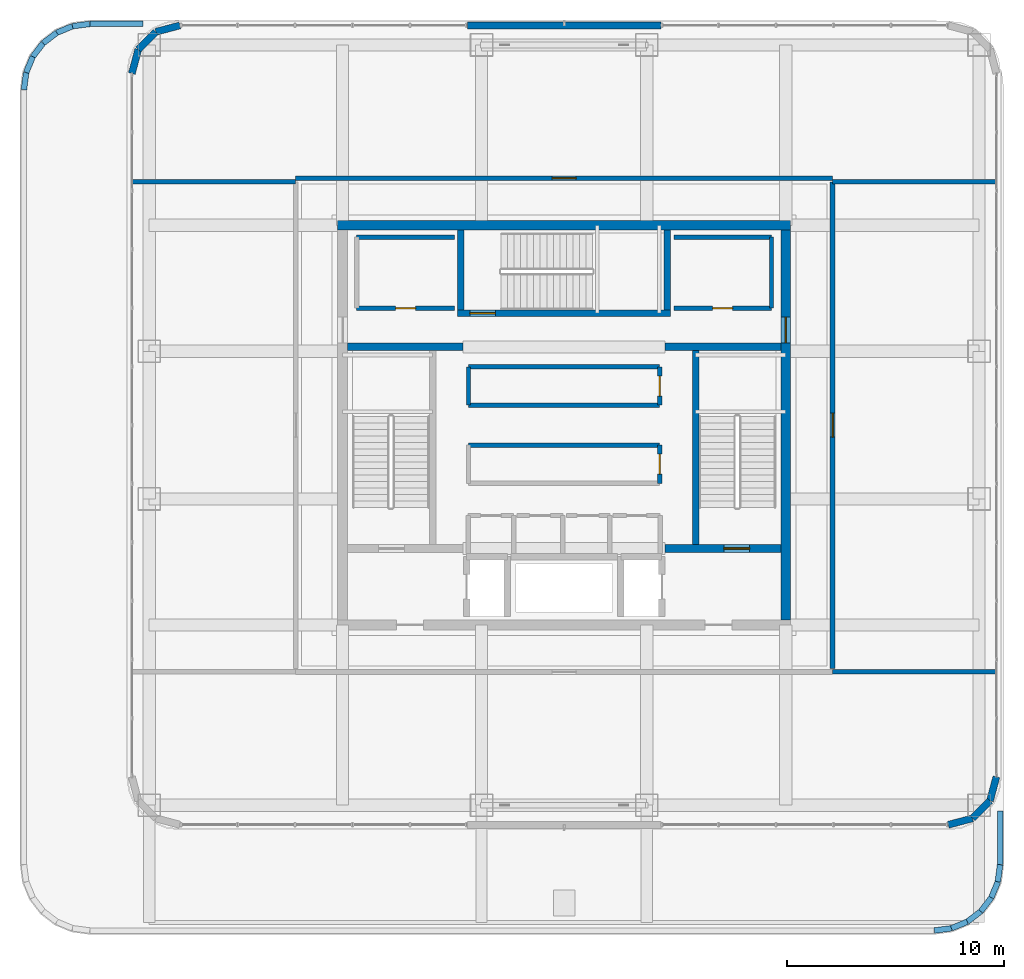
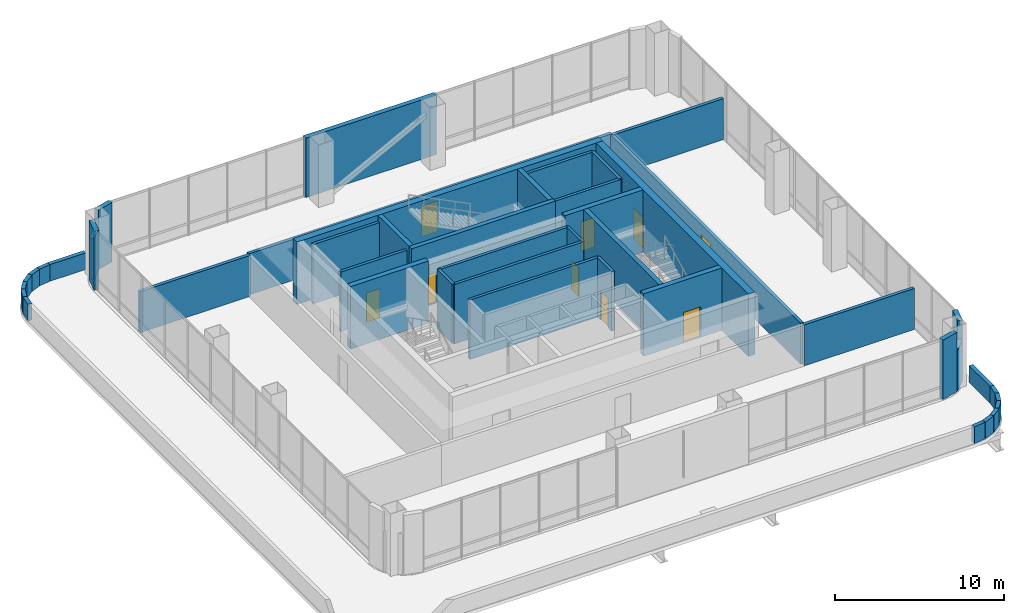
# One storey, part 29 of 33: 46 walls, 9 doors, 9 openings.
"""IFC4 building model written with IfcOpenShell, lengths in metres."""

from ifc_helpers import new_model, si_unit, direction, frame, frame_2d, origin, place, context, subcontext, project, spatial, rectangle, extrude, material, layer, layer_set, type_object, element, fill, save


model = new_model("IFC4")

# Units and contexts
model_context = context("Model", 3, precision=1e-05, world=origin(), true_north=direction((0.0, 1.0)))
body_context = subcontext(model_context, "Body", "Model", "MODEL_VIEW")
ifc_project = project(units=[si_unit("LENGTHUNIT", "METRE"), si_unit("AREAUNIT", "SQUARE_METRE"), si_unit("VOLUMEUNIT", "CUBIC_METRE"), si_unit("PLANEANGLEUNIT", "RADIAN"), si_unit("MASSUNIT", "GRAM", prefix="KILO")], contexts=[model_context])

# Site, building, storey
site_placement = place(None, origin())
site = spatial("IfcSite", under=ifc_project, at=site_placement, CompositionType="ELEMENT")
building_placement = place(site_placement, origin())
building = spatial("IfcBuilding", under=site, at=building_placement, Name="Punatoya Terracotta Tower", CompositionType="ELEMENT")
storey_placement = place(building_placement, frame((0.0, 0.0, 343.800048828125)))
storey = spatial("IfcBuildingStorey", under=building, at=storey_placement, Name="L81", CompositionType="ELEMENT", Elevation=343.800048828125)

# Wall
ifc_material_1 = material(Name="Concrete C50/60", Category="concrete")
ifc_layer_1 = layer(ifc_material_1, 0.449951171875)
ifc_layer_set_1 = layer_set([ifc_layer_1], Name="Concrete C50/60")
wall_type_1 = type_object("IfcWallType", Name="WL-COR-450", PredefinedType="SHEAR", material=ifc_layer_set_1)
wall_1_placement = place(storey_placement, frame((-10.425048828125, 9.199951171875, 0.0), z_axis=(0.0, 0.0, 1.0), x_axis=(1.0, 0.0, 0.0)))
element("IfcWall", 1, at=wall_1_placement, inside=storey, type_object=wall_type_1, Name="L81 Core Shear Wall N", PredefinedType="SHEAR", context=body_context, shape_type="SweptSolid", body=[
    extrude(rectangle(XDim=20.85009765625, YDim=0.449951171875, at=frame_2d((10.425048828125, 0.0))), origin(), (0.0, 0.0, 1.0), 4.5),
])

# Wall, opening, door
wall_2_placement = place(storey_placement, frame((10.199951171875, 8.97509765625, 0.0), z_axis=(0.0, 0.0, 1.0), x_axis=(0.0, -1.0, 0.0)))
wall_2 = element("IfcWall", 2, at=wall_2_placement, inside=storey, type_object=wall_type_1, Name="L81 Core Shear Wall E", PredefinedType="SHEAR", context=body_context, shape_type="SweptSolid", body=[
    extrude(rectangle(XDim=17.9501953125, YDim=0.449951171875, at=frame_2d((8.97509765625, 0.0))), origin(), (0.0, 0.0, 1.0), 4.5),
])
opening_1_placement = place(wall_2_placement, frame((4.0048828125, 0.0, 0.0)))
opening_1 = element("IfcOpeningElement", 3, at=opening_1_placement, cuts=wall_2, Name="Opening SD-01", PredefinedType="OPENING", context=body_context, shape_type="SweptSolid", body=[
    extrude(rectangle(XDim=1.179931640625, YDim=2.199951171875, at=frame_2d((0.58984375, 1.10009765625))), frame((0.0, 0.23486328125, 0.0), z_axis=(0.0, -1.0, 0.0), x_axis=(1.0, 0.0, 0.0)), (0.0, 0.0, 1.0), 0.469970703125),
])
ifc_material_2 = material(Name="Galvanised Steel Pressurized Stair Fire Door", Category="steel")
door_type_1 = type_object("IfcDoorType", Name="DR-STR-1180", OperationType="NOTDEFINED", PredefinedType="DOOR", material=ifc_material_2)
door_1_placement = place(opening_1_placement, origin())
door_1 = element("IfcDoor", 4, at=door_1_placement, inside=storey, type_object=door_type_1, Name="L81 Central Lift Lobby East Fire Door", OperationType="SINGLE_SWING_RIGHT", OverallHeight=2.199951171875, OverallWidth=1.179931640625, PredefinedType="DOOR", context=body_context, shape_type="SweptSolid", body=[
    extrude(rectangle(XDim=1.179931640625, YDim=2.199951171875, at=frame_2d((0.58984375, 1.10009765625))), frame((0.0, 0.02490234375, 0.0), z_axis=(0.0, -1.0, 0.0), x_axis=(1.0, 0.0, 0.0)), (0.0, 0.0, 1.0), 0.050048828125),
])
fill(opening_1, door_1)

# Walls
ifc_material_3 = material(Name="Precast concrete C40/50", Category="concrete")
ifc_layer_2 = layer(ifc_material_3, 0.320068359375)
ifc_layer_set_2 = layer_set([ifc_layer_2], Name="Precast concrete C40/50")
wall_type_2 = type_object("IfcWallType", Name="WL-EXT-320", PredefinedType="SOLIDWALL", material=ifc_layer_set_2)
wall_3_placement = place(storey_placement, frame((17.68701171875, -18.39990234375, 0.0), z_axis=(0.0, 0.0, 1.0), x_axis=(0.966322910406, 0.257332533551, 0.0)))
element("IfcWall", 5, at=wall_3_placement, inside=storey, type_object=wall_type_2, Name="L81 Rounded Terracotta Corner Pier 02", PredefinedType="SOLIDWALL", context=body_context, shape_type="SweptSolid", body=[
    extrude(rectangle(XDim=1.15087890625, YDim=0.320068359375, at=frame_2d((0.575439453125, 0.0))), origin(), (0.0, 0.0, 1.0), 4.280029296875),
])
wall_4_placement = place(storey_placement, frame((18.799072265625, -18.103759765625, 0.0), z_axis=(0.0, 0.0, 1.0), x_axis=(0.707106781187, 0.707106781187, 0.0)))
element("IfcWall", 6, at=wall_4_placement, inside=storey, type_object=wall_type_2, Name="L81 Rounded Terracotta Corner Pier 03", PredefinedType="SOLIDWALL", context=body_context, shape_type="SweptSolid", body=[
    extrude(rectangle(XDim=1.137939453125, YDim=0.320068359375, at=frame_2d((0.56884765625, 0.0))), origin(), (0.0, 0.0, 1.0), 2.953857421875),
])
wall_5_placement = place(storey_placement, frame((19.603759765625, -17.299072265625, 0.0), z_axis=(0.0, 0.0, 1.0), x_axis=(0.257332533551, 0.966322910406, 0.0)))
element("IfcWall", 7, at=wall_5_placement, inside=storey, type_object=wall_type_2, Name="L81 Rounded Terracotta Corner Pier 04", PredefinedType="SOLIDWALL", context=body_context, shape_type="SweptSolid", body=[
    extrude(rectangle(XDim=1.15087890625, YDim=0.320068359375, at=frame_2d((0.575439453125, 0.0))), origin(), (0.0, 0.0, 1.0), 4.280029296875),
])
wall_6_placement = place(storey_placement, frame((4.449951171875, 18.39990234375, 0.0), z_axis=(0.0, 0.0, 1.0), x_axis=(-1.0, 0.0, 0.0)))
element("IfcWall", 8, at=wall_6_placement, inside=storey, type_object=wall_type_2, Name="L81 Terracotta Braced Facade Wall N1", PredefinedType="SOLIDWALL", context=body_context, shape_type="SweptSolid", body=[
    extrude(rectangle(XDim=8.89990234375, YDim=0.320068359375, at=frame_2d((4.449951171875, 0.0))), origin(), (0.0, 0.0, 1.0), 4.280029296875),
])
wall_7_placement = place(storey_placement, frame((-17.68701171875, 18.39990234375, 0.0), z_axis=(0.0, 0.0, 1.0), x_axis=(-0.966322910406, -0.257332533551, 0.0)))
element("IfcWall", 9, at=wall_7_placement, inside=storey, type_object=wall_type_2, Name="L81 Rounded Terracotta Corner Pier 10", PredefinedType="SOLIDWALL", context=body_context, shape_type="SweptSolid", body=[
    extrude(rectangle(XDim=1.15087890625, YDim=0.320068359375, at=frame_2d((0.575439453125, 0.0))), origin(), (0.0, 0.0, 1.0), 4.280029296875),
])
wall_8_placement = place(storey_placement, frame((-18.799072265625, 18.103759765625, 0.0), z_axis=(0.0, 0.0, 1.0), x_axis=(-0.707106781187, -0.707106781187, 0.0)))
element("IfcWall", 10, at=wall_8_placement, inside=storey, type_object=wall_type_2, Name="L81 Rounded Terracotta Corner Pier 11", PredefinedType="SOLIDWALL", context=body_context, shape_type="SweptSolid", body=[
    extrude(rectangle(XDim=1.137939453125, YDim=0.320068359375, at=frame_2d((0.56884765625, 0.0))), origin(), (0.0, 0.0, 1.0), 2.953857421875),
])
wall_9_placement = place(storey_placement, frame((-19.603759765625, 17.299072265625, 0.0), z_axis=(0.0, 0.0, 1.0), x_axis=(-0.257332533551, -0.966322910406, 0.0)))
element("IfcWall", 11, at=wall_9_placement, inside=storey, type_object=wall_type_2, Name="L81 Rounded Terracotta Corner Pier 12", PredefinedType="SOLIDWALL", context=body_context, shape_type="SweptSolid", body=[
    extrude(rectangle(XDim=1.15087890625, YDim=0.320068359375, at=frame_2d((0.575439453125, 0.0))), origin(), (0.0, 0.0, 1.0), 4.280029296875),
])
ifc_material_4 = material(Name="Concrete C40/50", Category="concrete")
ifc_layer_3 = layer(ifc_material_4, 0.219970703125)
ifc_layer_set_3 = layer_set([ifc_layer_3], Name="Concrete C40/50")
wall_type_3 = type_object("IfcWallType", Name="WL-FIR-220", PredefinedType="SOLIDWALL", material=ifc_layer_set_3)
for number, where, z_axis, x_axis, name in (
    (12, (12.360107421875, -11.35009765625, 0.0), (0.0, 0.0, 1.0), (1.0, 0.0, 0.0), "L81 Crown South Heat-Rejection and Cooling-Tower Plant Partition 26"),
    (13, (-19.8798828125, 11.199951171875, 0.0), (0.0, 0.0, 1.0), (1.0, 0.0, 0.0), "L81 Crown West Smoke-Extract and Fan Plant Room Partition 27"),
):
    element("IfcWall", number, at=place(storey_placement, frame(where, z_axis=z_axis, x_axis=x_axis)), inside=storey, type_object=wall_type_3, Name=name, PredefinedType="SOLIDWALL", context=body_context, shape_type="SweptSolid", body=[
        extrude(rectangle(XDim=7.519775390625, YDim=0.219970703125, at=frame_2d((3.759765625, 0.0))), origin(), (0.0, 0.0, 1.0), 2.953857421875),
    ])

# Wall, opening, door
wall_10_placement = place(storey_placement, frame((12.360107421875, -11.199951171875, 0.0), z_axis=(0.0, 0.0, 1.0), x_axis=(0.0, 1.0, 0.0)))
wall_10 = element("IfcWall", 14, at=wall_10_placement, inside=storey, type_object=wall_type_3, Name="L81 Crown East Lift Machine and BMS Control Plant Partition 29", PredefinedType="SOLIDWALL", context=body_context, shape_type="SweptSolid", body=[
    extrude(rectangle(XDim=22.39990234375, YDim=0.219970703125, at=frame_2d((11.199951171875, 0.0))), origin(), (0.0, 0.0, 1.0), 2.953857421875),
])
opening_2_placement = place(wall_10_placement, frame((10.64990234375, 0.0, 0.0)))
opening_2 = element("IfcOpeningElement", 15, at=opening_2_placement, cuts=wall_10, Name="Opening FD-P1", PredefinedType="OPENING", context=body_context, shape_type="SweptSolid", body=[
    extrude(rectangle(XDim=1.10009765625, YDim=2.199951171875, at=frame_2d((0.550048828125, 1.10009765625))), frame((0.0, 0.119873046875, 0.0), z_axis=(0.0, -1.0, 0.0), x_axis=(1.0, 0.0, 0.0)), (0.0, 0.0, 1.0), 0.239990234375),
])
ifc_material_5 = material(Name="Galvanised Steel Plant Fire Door", Category="steel")
door_type_2 = type_object("IfcDoorType", Name="DR-PLT-1100", OperationType="NOTDEFINED", PredefinedType="DOOR", material=ifc_material_5)
door_2_placement = place(opening_2_placement, origin())
door_2 = element("IfcDoor", 16, at=door_2_placement, inside=storey, type_object=door_type_2, Name="L81 Crown East Lift Machine and BMS Control Plant Fire Door", OperationType="SINGLE_SWING_LEFT", OverallHeight=2.199951171875, OverallWidth=1.10009765625, PredefinedType="DOOR", context=body_context, shape_type="SweptSolid", body=[
    extrude(rectangle(XDim=1.10009765625, YDim=2.199951171875, at=frame_2d((0.550048828125, 1.10009765625))), frame((0.0, 0.02490234375, 0.0), z_axis=(0.0, -1.0, 0.0), x_axis=(1.0, 0.0, 0.0)), (0.0, 0.0, 1.0), 0.050048828125),
])
fill(opening_2, door_2)

# Wall
wall_11_placement = place(storey_placement, frame((12.360107421875, 11.199951171875, 0.0), z_axis=(0.0, 0.0, 1.0), x_axis=(1.0, 0.0, 0.0)))
element("IfcWall", 17, at=wall_11_placement, inside=storey, type_object=wall_type_3, Name="L81 Crown East Lift Machine and BMS Control Plant Partition 30", PredefinedType="SOLIDWALL", context=body_context, shape_type="SweptSolid", body=[
    extrude(rectangle(XDim=7.519775390625, YDim=0.219970703125, at=frame_2d((3.759765625, 0.0))), origin(), (0.0, 0.0, 1.0), 2.953857421875),
])

# Wall, opening, door
wall_12_placement = place(storey_placement, frame((12.360107421875, 11.360107421875, 0.0), z_axis=(0.0, 0.0, 1.0), x_axis=(-1.0, 0.0, 0.0)))
wall_12 = element("IfcWall", 18, at=wall_12_placement, inside=storey, type_object=wall_type_3, Name="L81 Crown North Standby Power and Booster Pump Plant Partition 31", PredefinedType="SOLIDWALL", context=body_context, shape_type="SweptSolid", body=[
    extrude(rectangle(XDim=24.72021484375, YDim=0.219970703125, at=frame_2d((12.360107421875, 0.0))), origin(), (0.0, 0.0, 1.0), 2.953857421875),
])
opening_3_placement = place(wall_12_placement, frame((11.81005859375, 0.0, 0.0)))
opening_3 = element("IfcOpeningElement", 19, at=opening_3_placement, cuts=wall_12, Name="Opening FD-P1", PredefinedType="OPENING", context=body_context, shape_type="SweptSolid", body=[
    extrude(rectangle(XDim=1.10009765625, YDim=2.199951171875, at=frame_2d((0.550048828125, 1.10009765625))), frame((0.0, 0.119873046875, 0.0), z_axis=(0.0, -1.0, 0.0), x_axis=(1.0, 0.0, 0.0)), (0.0, 0.0, 1.0), 0.239990234375),
])
door_3_placement = place(opening_3_placement, origin())
door_3 = element("IfcDoor", 20, at=door_3_placement, inside=storey, type_object=door_type_2, Name="L81 Crown North Standby Power and Booster Pump Plant Fire Door", OperationType="SINGLE_SWING_RIGHT", OverallHeight=2.199951171875, OverallWidth=1.10009765625, PredefinedType="DOOR", context=body_context, shape_type="SweptSolid", body=[
    extrude(rectangle(XDim=1.10009765625, YDim=2.199951171875, at=frame_2d((0.550048828125, 1.10009765625))), frame((0.0, 0.02490234375, 0.0), z_axis=(0.0, -1.0, 0.0), x_axis=(1.0, 0.0, 0.0)), (0.0, 0.0, 1.0), 0.050048828125),
])
fill(opening_3, door_3)

ifc_layer_4 = layer(ifc_material_4, 0.199951171875)
ifc_layer_set_4 = layer_set([ifc_layer_4], Name="Concrete C40/50")
wall_type_4 = type_object("IfcWallType", Name="WL-INT-200", PredefinedType="SOLIDWALL", material=ifc_layer_set_4)
wall_13_placement = place(storey_placement, frame((4.39990234375, -2.679931640625, 0.0), z_axis=(0.0, 0.0, 1.0), x_axis=(0.0, 1.0, 0.0)))
wall_13 = element("IfcWall", 21, at=wall_13_placement, inside=storey, type_object=wall_type_4, Name="L81 Crown Emergency Power Switchroom Partition 10", PredefinedType="SOLIDWALL", context=body_context, shape_type="SweptSolid", body=[
    extrude(rectangle(XDim=1.760009765625, YDim=0.199951171875, at=frame_2d((0.8798828125, 0.0))), origin(), (0.0, 0.0, 1.0), 4.280029296875),
])
opening_4_placement = place(wall_13_placement, frame((0.419921875, 0.0, 0.0)))
opening_4 = element("IfcOpeningElement", 22, at=opening_4_placement, cuts=wall_13, Name="Opening FD-R1", PredefinedType="OPENING", context=body_context, shape_type="SweptSolid", body=[
    extrude(rectangle(XDim=0.919921875, YDim=2.10009765625, at=frame_2d((0.4599609375, 1.050048828125))), frame((0.0, 0.10986328125, 0.0), z_axis=(0.0, -1.0, 0.0), x_axis=(1.0, 0.0, 0.0)), (0.0, 0.0, 1.0), 0.219970703125),
])
ifc_material_6 = material(Name="Galvanised Steel Riser Fire Access Door", Category="steel")
door_type_3 = type_object("IfcDoorType", Name="DR-RSR-920", OperationType="NOTDEFINED", PredefinedType="DOOR", material=ifc_material_6)
door_4_placement = place(opening_4_placement, origin())
door_4 = element("IfcDoor", 23, at=door_4_placement, inside=storey, type_object=door_type_3, Name="L81 Crown Emergency Power Switchroom Fire Door", OperationType="SINGLE_SWING_LEFT", OverallHeight=2.10009765625, OverallWidth=0.919921875, PredefinedType="DOOR", context=body_context, shape_type="SweptSolid", body=[
    extrude(rectangle(XDim=0.919921875, YDim=2.10009765625, at=frame_2d((0.4599609375, 1.050048828125))), frame((0.0, 0.02490234375, 0.0), z_axis=(0.0, -1.0, 0.0), x_axis=(1.0, 0.0, 0.0)), (0.0, 0.0, 1.0), 0.050048828125),
])
fill(opening_4, door_4)

# Wall
wall_14_placement = place(storey_placement, frame((4.39990234375, -0.919921875, 0.0), z_axis=(0.0, 0.0, 1.0), x_axis=(-1.0, 0.0, 0.0)))
element("IfcWall", 24, at=wall_14_placement, inside=storey, type_object=wall_type_4, Name="L81 Crown Emergency Power Switchroom Partition 11", PredefinedType="SOLIDWALL", context=body_context, shape_type="SweptSolid", body=[
    extrude(rectangle(XDim=8.7998046875, YDim=0.199951171875, at=frame_2d((4.39990234375, 0.0))), origin(), (0.0, 0.0, 1.0), 4.280029296875),
])

# Wall, opening, door
wall_15_placement = place(storey_placement, frame((4.39990234375, 0.919921875, 0.0), z_axis=(0.0, 0.0, 1.0), x_axis=(0.0, 1.0, 0.0)))
wall_15 = element("IfcWall", 25, at=wall_15_placement, inside=storey, type_object=wall_type_4, Name="L81 Crown Stair Pressurization Fan Room Partition 14", PredefinedType="SOLIDWALL", context=body_context, shape_type="SweptSolid", body=[
    extrude(rectangle(XDim=1.760009765625, YDim=0.199951171875, at=frame_2d((0.8798828125, 0.0))), origin(), (0.0, 0.0, 1.0), 4.280029296875),
])
opening_5_placement = place(wall_15_placement, frame((0.419921875, 0.0, 0.0)))
opening_5 = element("IfcOpeningElement", 26, at=opening_5_placement, cuts=wall_15, Name="Opening FD-R1", PredefinedType="OPENING", context=body_context, shape_type="SweptSolid", body=[
    extrude(rectangle(XDim=0.919921875, YDim=2.10009765625, at=frame_2d((0.4599609375, 1.050048828125))), frame((0.0, 0.10986328125, 0.0), z_axis=(0.0, -1.0, 0.0), x_axis=(1.0, 0.0, 0.0)), (0.0, 0.0, 1.0), 0.219970703125),
])
door_5_placement = place(opening_5_placement, origin())
door_5 = element("IfcDoor", 27, at=door_5_placement, inside=storey, type_object=door_type_3, Name="L81 Crown Stair Pressurization Fan Room Fire Door", OperationType="SINGLE_SWING_RIGHT", OverallHeight=2.10009765625, OverallWidth=0.919921875, PredefinedType="DOOR", context=body_context, shape_type="SweptSolid", body=[
    extrude(rectangle(XDim=0.919921875, YDim=2.10009765625, at=frame_2d((0.4599609375, 1.050048828125))), frame((0.0, 0.02490234375, 0.0), z_axis=(0.0, -1.0, 0.0), x_axis=(1.0, 0.0, 0.0)), (0.0, 0.0, 1.0), 0.050048828125),
])
fill(opening_5, door_5)

# Walls
wall_16_placement = place(storey_placement, frame((4.39990234375, 2.679931640625, 0.0), z_axis=(0.0, 0.0, 1.0), x_axis=(-1.0, 0.0, 0.0)))
element("IfcWall", 28, at=wall_16_placement, inside=storey, type_object=wall_type_4, Name="L81 Crown Stair Pressurization Fan Room Partition 15", PredefinedType="SOLIDWALL", context=body_context, shape_type="SweptSolid", body=[
    extrude(rectangle(XDim=8.7998046875, YDim=0.199951171875, at=frame_2d((4.39990234375, 0.0))), origin(), (0.0, 0.0, 1.0), 4.280029296875),
])
wall_17_placement = place(storey_placement, frame((-4.39990234375, 2.679931640625, 0.0), z_axis=(0.0, 0.0, 1.0), x_axis=(0.0, -1.0, 0.0)))
element("IfcWall", 29, at=wall_17_placement, inside=storey, type_object=wall_type_4, Name="L81 Crown Stair Pressurization Fan Room Partition 16", PredefinedType="SOLIDWALL", context=body_context, shape_type="SweptSolid", body=[
    extrude(rectangle(XDim=1.760009765625, YDim=0.199951171875, at=frame_2d((0.8798828125, 0.0))), origin(), (0.0, 0.0, 1.0), 4.280029296875),
])
wall_18_placement = place(storey_placement, frame((-4.39990234375, 0.919921875, 0.0), z_axis=(0.0, 0.0, 1.0), x_axis=(1.0, 0.0, 0.0)))
element("IfcWall", 30, at=wall_18_placement, inside=storey, type_object=wall_type_4, Name="L81 Crown Stair Pressurization Fan Room Partition 17", PredefinedType="SOLIDWALL", context=body_context, shape_type="SweptSolid", body=[
    extrude(rectangle(XDim=8.7998046875, YDim=0.199951171875, at=frame_2d((4.39990234375, 0.0))), origin(), (0.0, 0.0, 1.0), 4.280029296875),
])
wall_19_placement = place(storey_placement, frame((-5.050048828125, 8.64990234375, 0.0), z_axis=(0.0, 0.0, 1.0), x_axis=(-1.0, 0.0, 0.0)))
element("IfcWall", 31, at=wall_19_placement, inside=storey, type_object=wall_type_4, Name="L81 West Duct Riser Partition 18", PredefinedType="SOLIDWALL", context=body_context, shape_type="SweptSolid", body=[
    extrude(rectangle(XDim=4.5, YDim=0.199951171875, at=frame_2d((2.25, 0.0))), origin(), (0.0, 0.0, 1.0), 4.280029296875),
])

# Wall, opening, door
wall_20_placement = place(storey_placement, frame((-9.550048828125, 5.3798828125, 0.0), z_axis=(0.0, 0.0, 1.0), x_axis=(1.0, 0.0, 0.0)))
wall_20 = element("IfcWall", 32, at=wall_20_placement, inside=storey, type_object=wall_type_4, Name="L81 West Duct Riser Partition 20", PredefinedType="SOLIDWALL", context=body_context, shape_type="SweptSolid", body=[
    extrude(rectangle(XDim=4.5, YDim=0.199951171875, at=frame_2d((2.25, 0.0))), origin(), (0.0, 0.0, 1.0), 4.280029296875),
])
opening_6_placement = place(wall_20_placement, frame((1.7900390625, 0.0, 0.0)))
opening_6 = element("IfcOpeningElement", 33, at=opening_6_placement, cuts=wall_20, Name="Opening FD-R1", PredefinedType="OPENING", context=body_context, shape_type="SweptSolid", body=[
    extrude(rectangle(XDim=0.919921875, YDim=2.10009765625, at=frame_2d((0.4599609375, 1.050048828125))), frame((0.0, 0.10986328125, 0.0), z_axis=(0.0, -1.0, 0.0), x_axis=(1.0, 0.0, 0.0)), (0.0, 0.0, 1.0), 0.219970703125),
])
door_6_placement = place(opening_6_placement, origin())
door_6 = element("IfcDoor", 34, at=door_6_placement, inside=storey, type_object=door_type_3, Name="L81 West Duct Riser Fire Door", OperationType="SINGLE_SWING_LEFT", OverallHeight=2.10009765625, OverallWidth=0.919921875, PredefinedType="DOOR", context=body_context, shape_type="SweptSolid", body=[
    extrude(rectangle(XDim=0.919921875, YDim=2.10009765625, at=frame_2d((0.4599609375, 1.050048828125))), frame((0.0, 0.02490234375, 0.0), z_axis=(0.0, -1.0, 0.0), x_axis=(1.0, 0.0, 0.0)), (0.0, 0.0, 1.0), 0.050048828125),
])
fill(opening_6, door_6)

# Walls
wall_21_placement = place(storey_placement, frame((9.550048828125, 5.3798828125, 0.0), z_axis=(0.0, 0.0, 1.0), x_axis=(0.0, 1.0, 0.0)))
element("IfcWall", 35, at=wall_21_placement, inside=storey, type_object=wall_type_4, Name="L81 East Duct Riser Partition 21", PredefinedType="SOLIDWALL", context=body_context, shape_type="SweptSolid", body=[
    extrude(rectangle(XDim=3.27001953125, YDim=0.199951171875, at=frame_2d((1.635009765625, 0.0))), origin(), (0.0, 0.0, 1.0), 4.280029296875),
])
wall_22_placement = place(storey_placement, frame((9.550048828125, 8.64990234375, 0.0), z_axis=(0.0, 0.0, 1.0), x_axis=(-1.0, 0.0, 0.0)))
element("IfcWall", 36, at=wall_22_placement, inside=storey, type_object=wall_type_4, Name="L81 East Duct Riser Partition 22", PredefinedType="SOLIDWALL", context=body_context, shape_type="SweptSolid", body=[
    extrude(rectangle(XDim=4.5, YDim=0.199951171875, at=frame_2d((2.25, 0.0))), origin(), (0.0, 0.0, 1.0), 4.280029296875),
])

# Wall, opening, door
wall_23_placement = place(storey_placement, frame((5.050048828125, 5.3798828125, 0.0), z_axis=(0.0, 0.0, 1.0), x_axis=(1.0, 0.0, 0.0)))
wall_23 = element("IfcWall", 37, at=wall_23_placement, inside=storey, type_object=wall_type_4, Name="L81 East Duct Riser Partition 23", PredefinedType="SOLIDWALL", context=body_context, shape_type="SweptSolid", body=[
    extrude(rectangle(XDim=4.5, YDim=0.199951171875, at=frame_2d((2.25, 0.0))), origin(), (0.0, 0.0, 1.0), 4.280029296875),
])
opening_7_placement = place(wall_23_placement, frame((1.7900390625, 0.0, 0.0)))
opening_7 = element("IfcOpeningElement", 38, at=opening_7_placement, cuts=wall_23, Name="Opening FD-R1", PredefinedType="OPENING", context=body_context, shape_type="SweptSolid", body=[
    extrude(rectangle(XDim=0.919921875, YDim=2.10009765625, at=frame_2d((0.4599609375, 1.050048828125))), frame((0.0, 0.10986328125, 0.0), z_axis=(0.0, -1.0, 0.0), x_axis=(1.0, 0.0, 0.0)), (0.0, 0.0, 1.0), 0.219970703125),
])
door_7_placement = place(opening_7_placement, origin())
door_7 = element("IfcDoor", 39, at=door_7_placement, inside=storey, type_object=door_type_3, Name="L81 East Duct Riser Fire Door", OperationType="SINGLE_SWING_RIGHT", OverallHeight=2.10009765625, OverallWidth=0.919921875, PredefinedType="DOOR", context=body_context, shape_type="SweptSolid", body=[
    extrude(rectangle(XDim=0.919921875, YDim=2.10009765625, at=frame_2d((0.4599609375, 1.050048828125))), frame((0.0, 0.02490234375, 0.0), z_axis=(0.0, -1.0, 0.0), x_axis=(1.0, 0.0, 0.0)), (0.0, 0.0, 1.0), 0.050048828125),
])
fill(opening_7, door_7)

# Walls
ifc_layer_5 = layer(ifc_material_3, 0.260009765625)
ifc_layer_set_5 = layer_set([ifc_layer_5], Name="Precast concrete C40/50")
wall_type_5 = type_object("IfcWallType", Name="WL-PAR-260", PredefinedType="PARAPET", material=ifc_layer_set_5)
wall_24_placement = place(storey_placement, frame((17.0380859375, -23.27001953125, 0.0), z_axis=(0.0, 0.0, 1.0), x_axis=(0.991434550152, 0.130604489832, 0.0)))
element("IfcWall", 40, at=wall_24_placement, inside=storey, type_object=wall_type_5, Name="L81 Roof Parapet Wall PAR-L81-STEP-01", PredefinedType="PARAPET", context=body_context, shape_type="SweptSolid", body=[
    extrude(rectangle(XDim=0.800048828125, YDim=0.260009765625, at=frame_2d((0.39990234375, 0.0))), origin(), (0.0, 0.0, 1.0), 1.199951171875),
])
wall_25_placement = place(storey_placement, frame((17.831298828125, -23.16552734375, 0.0), z_axis=(0.0, 0.0, 1.0), x_axis=(0.923854398102, 0.38274410656, 0.0)))
element("IfcWall", 41, at=wall_25_placement, inside=storey, type_object=wall_type_5, Name="L81 Roof Parapet Wall PAR-L81-STEP-02", PredefinedType="PARAPET", context=body_context, shape_type="SweptSolid", body=[
    extrude(rectangle(XDim=0.787841796875, YDim=0.260009765625, at=frame_2d((0.39404296875, 0.0))), origin(), (0.0, 0.0, 1.0), 1.199951171875),
])
wall_26_placement = place(storey_placement, frame((18.55908203125, -22.864013671875, 0.0), z_axis=(0.0, 0.0, 1.0), x_axis=(0.793371954706, 0.608737169464, 0.0)))
element("IfcWall", 42, at=wall_26_placement, inside=storey, type_object=wall_type_5, Name="L81 Roof Parapet Wall PAR-L81-STEP-03", PredefinedType="PARAPET", context=body_context, shape_type="SweptSolid", body=[
    extrude(rectangle(XDim=0.7880859375, YDim=0.260009765625, at=frame_2d((0.39404296875, 0.0))), origin(), (0.0, 0.0, 1.0), 1.199951171875),
])
wall_27_placement = place(storey_placement, frame((19.184326171875, -22.38427734375, 0.0), z_axis=(0.0, 0.0, 1.0), x_axis=(0.608886809997, 0.793257116332, 0.0)))
element("IfcWall", 43, at=wall_27_placement, inside=storey, type_object=wall_type_5, Name="L81 Roof Parapet Wall PAR-L81-STEP-04", PredefinedType="PARAPET", context=body_context, shape_type="SweptSolid", body=[
    extrude(rectangle(XDim=0.787841796875, YDim=0.260009765625, at=frame_2d((0.39404296875, 0.0))), origin(), (0.0, 0.0, 1.0), 1.199951171875),
])
wall_28_placement = place(storey_placement, frame((19.6640625, -21.75927734375, 0.0), z_axis=(0.0, 0.0, 1.0), x_axis=(0.38263454961, 0.923899778896, 0.0)))
element("IfcWall", 44, at=wall_28_placement, inside=storey, type_object=wall_type_5, Name="L81 Roof Parapet Wall PAR-L81-STEP-05", PredefinedType="PARAPET", context=body_context, shape_type="SweptSolid", body=[
    extrude(rectangle(XDim=0.7880859375, YDim=0.260009765625, at=frame_2d((0.39404296875, 0.0))), origin(), (0.0, 0.0, 1.0), 1.199951171875),
])
wall_29_placement = place(storey_placement, frame((19.965576171875, -21.03125, 0.0), z_axis=(0.0, 0.0, 1.0), x_axis=(0.130644014367, 0.991429342672, 0.0)))
element("IfcWall", 45, at=wall_29_placement, inside=storey, type_object=wall_type_5, Name="L81 Roof Parapet Wall PAR-L81-STEP-06", PredefinedType="PARAPET", context=body_context, shape_type="SweptSolid", body=[
    extrude(rectangle(XDim=0.7998046875, YDim=0.260009765625, at=frame_2d((0.39990234375, 0.0))), origin(), (0.0, 0.0, 1.0), 1.199951171875),
])
wall_30_placement = place(storey_placement, frame((20.070068359375, -20.23828125, 0.0), z_axis=(0.0, 0.0, 1.0), x_axis=(0.0, 1.0, 0.0)))
element("IfcWall", 46, at=wall_30_placement, inside=storey, type_object=wall_type_5, Name="L81 Roof Parapet Wall PAR-L81-STEP-07", PredefinedType="PARAPET", context=body_context, shape_type="SweptSolid", body=[
    extrude(rectangle(XDim=2.47900390625, YDim=0.260009765625, at=frame_2d((1.239501953125, 0.0))), origin(), (0.0, 0.0, 1.0), 1.199951171875),
])
wall_31_placement = place(storey_placement, frame((-19.3896484375, 18.469970703125, 0.0), z_axis=(0.0, 0.0, 1.0), x_axis=(-1.0, 0.0, 0.0)))
element("IfcWall", 47, at=wall_31_placement, inside=storey, type_object=wall_type_5, Name="L81 Roof Parapet Wall PAR-L81-STEP-08", PredefinedType="PARAPET", context=body_context, shape_type="SweptSolid", body=[
    extrude(rectangle(XDim=2.448486328125, YDim=0.260009765625, at=frame_2d((1.22412109375, 0.0))), origin(), (0.0, 0.0, 1.0), 1.199951171875),
])
wall_32_placement = place(storey_placement, frame((-21.838134765625, 18.469970703125, 0.0), z_axis=(0.0, 0.0, 1.0), x_axis=(-0.991429342672, -0.130644014367, 0.0)))
element("IfcWall", 48, at=wall_32_placement, inside=storey, type_object=wall_type_5, Name="L81 Roof Parapet Wall PAR-L81-STEP-09", PredefinedType="PARAPET", context=body_context, shape_type="SweptSolid", body=[
    extrude(rectangle(XDim=0.7998046875, YDim=0.260009765625, at=frame_2d((0.39990234375, 0.0))), origin(), (0.0, 0.0, 1.0), 1.199951171875),
])
wall_33_placement = place(storey_placement, frame((-22.631103515625, 18.365478515625, 0.0), z_axis=(0.0, 0.0, 1.0), x_axis=(-0.924009282298, -0.382370038349, 0.0)))
element("IfcWall", 49, at=wall_33_placement, inside=storey, type_object=wall_type_5, Name="L81 Roof Parapet Wall PAR-L81-STEP-10", PredefinedType="PARAPET", context=body_context, shape_type="SweptSolid", body=[
    extrude(rectangle(XDim=0.787841796875, YDim=0.260009765625, at=frame_2d((0.39404296875, 0.0))), origin(), (0.0, 0.0, 1.0), 1.199951171875),
])
wall_34_placement = place(storey_placement, frame((-23.359130859375, 18.064208984375, 0.0), z_axis=(0.0, 0.0, 1.0), x_axis=(-0.793222344381, -0.608932108182, 0.0)))
element("IfcWall", 50, at=wall_34_placement, inside=storey, type_object=wall_type_5, Name="L81 Roof Parapet Wall PAR-L81-STEP-11", PredefinedType="PARAPET", context=body_context, shape_type="SweptSolid", body=[
    extrude(rectangle(XDim=0.788330078125, YDim=0.260009765625, at=frame_2d((0.39404296875, 0.0))), origin(), (0.0, 0.0, 1.0), 1.199951171875),
])
wall_35_placement = place(storey_placement, frame((-23.984375, 17.584228515625, 0.0), z_axis=(0.0, 0.0, 1.0), x_axis=(-0.608886809997, -0.793257116332, 0.0)))
element("IfcWall", 51, at=wall_35_placement, inside=storey, type_object=wall_type_5, Name="L81 Roof Parapet Wall PAR-L81-STEP-12", PredefinedType="PARAPET", context=body_context, shape_type="SweptSolid", body=[
    extrude(rectangle(XDim=0.787841796875, YDim=0.260009765625, at=frame_2d((0.39404296875, 0.0))), origin(), (0.0, 0.0, 1.0), 1.199951171875),
])
wall_36_placement = place(storey_placement, frame((-24.464111328125, 16.959228515625, 0.0), z_axis=(0.0, 0.0, 1.0), x_axis=(-0.38263454961, -0.923899778896, 0.0)))
element("IfcWall", 52, at=wall_36_placement, inside=storey, type_object=wall_type_5, Name="L81 Roof Parapet Wall PAR-L81-STEP-13", PredefinedType="PARAPET", context=body_context, shape_type="SweptSolid", body=[
    extrude(rectangle(XDim=0.7880859375, YDim=0.260009765625, at=frame_2d((0.39404296875, 0.0))), origin(), (0.0, 0.0, 1.0), 1.199951171875),
])
wall_37_placement = place(storey_placement, frame((-24.765625, 16.231201171875, 0.0), z_axis=(0.0, 0.0, 1.0), x_axis=(-0.130644014367, -0.991429342672, 0.0)))
element("IfcWall", 53, at=wall_37_placement, inside=storey, type_object=wall_type_5, Name="L81 Roof Parapet Wall PAR-L81-STEP-14", PredefinedType="PARAPET", context=body_context, shape_type="SweptSolid", body=[
    extrude(rectangle(XDim=0.7998046875, YDim=0.260009765625, at=frame_2d((0.39990234375, 0.0))), origin(), (0.0, 0.0, 1.0), 1.199951171875),
])
ifc_layer_6 = layer(ifc_material_4, 0.300048828125)
ifc_layer_set_6 = layer_set([ifc_layer_6], Name="Concrete C40/50")
wall_type_6 = type_object("IfcWallType", Name="WL-SHF-300", PredefinedType="SOLIDWALL", material=ifc_layer_set_6)
wall_38_placement = place(storey_placement, frame((6.050048828125, 3.449951171875, 0.0), z_axis=(0.0, 0.0, 1.0), x_axis=(0.0, -1.0, 0.0)))
element("IfcWall", 54, at=wall_38_placement, inside=storey, type_object=wall_type_6, Name="L81 Structural Stair Shaft Wall SW-ST2-W", PredefinedType="SOLIDWALL", context=body_context, shape_type="SweptSolid", body=[
    extrude(rectangle(XDim=8.949951171875, YDim=0.300048828125, at=frame_2d((4.47509765625, 0.0))), origin(), (0.0, 0.0, 1.0), 4.5),
])
for number, where, z_axis, x_axis, name in (
    (55, (-4.75, 5.300048828125, 0.0), (0.0, 0.0, 1.0), (0.0, 1.0, 0.0), "L81 Structural Stair Shaft Wall SW-ST3-W"),
    (56, (4.75, 8.97509765625, 0.0), (0.0, 0.0, 1.0), (0.0, -1.0, 0.0), "L81 Structural Stair Shaft Wall SW-ST3-E"),
):
    element("IfcWall", number, at=place(storey_placement, frame(where, z_axis=z_axis, x_axis=x_axis)), inside=storey, type_object=wall_type_6, Name=name, PredefinedType="SOLIDWALL", context=body_context, shape_type="SweptSolid", body=[
        extrude(rectangle(XDim=3.675048828125, YDim=0.300048828125, at=frame_2d((1.83740234375, 0.0))), origin(), (0.0, 0.0, 1.0), 4.5),
    ])

# Wall, opening, door
wall_39_placement = place(storey_placement, frame((-4.89990234375, 5.14990234375, 0.0), z_axis=(0.0, 0.0, 1.0), x_axis=(1.0, 0.0, 0.0)))
wall_39 = element("IfcWall", 57, at=wall_39_placement, inside=storey, type_object=wall_type_6, Name="L81 Structural Stair Shaft Wall SW-ST3-S", PredefinedType="SOLIDWALL", context=body_context, shape_type="SweptSolid", body=[
    extrude(rectangle(XDim=9.7998046875, YDim=0.300048828125, at=frame_2d((4.89990234375, 0.0))), origin(), (0.0, 0.0, 1.0), 4.5),
])
opening_8_placement = place(wall_39_placement, frame((0.56005859375, 0.0, 0.0)))
opening_8 = element("IfcOpeningElement", 58, at=opening_8_placement, cuts=wall_39, Name="Opening SD-01", PredefinedType="OPENING", context=body_context, shape_type="SweptSolid", body=[
    extrude(rectangle(XDim=1.179931640625, YDim=2.199951171875, at=frame_2d((0.58984375, 1.10009765625))), frame((0.0, 0.159912109375, 0.0), z_axis=(0.0, -1.0, 0.0), x_axis=(1.0, 0.0, 0.0)), (0.0, 0.0, 1.0), 0.320068359375),
])
door_8_placement = place(opening_8_placement, origin())
door_8 = element("IfcDoor", 59, at=door_8_placement, inside=storey, type_object=door_type_1, Name="L81 Stair ST-3 Core Lobby Fire Door", OperationType="SINGLE_SWING_LEFT", OverallHeight=2.199951171875, OverallWidth=1.179931640625, PredefinedType="DOOR", context=body_context, shape_type="SweptSolid", body=[
    extrude(rectangle(XDim=1.179931640625, YDim=2.199951171875, at=frame_2d((0.58984375, 1.10009765625))), frame((0.0, 0.02490234375, 0.0), z_axis=(0.0, -1.0, 0.0), x_axis=(1.0, 0.0, 0.0)), (0.0, 0.0, 1.0), 0.050048828125),
])
fill(opening_8, door_8)

ifc_layer_7 = layer(ifc_material_1, 0.35009765625)
ifc_layer_set_7 = layer_set([ifc_layer_7], Name="Concrete C50/60")
wall_type_7 = type_object("IfcWallType", Name="WL-SHF-350", PredefinedType="SOLIDWALL", material=ifc_layer_set_7)
wall_40_placement = place(storey_placement, frame((4.64990234375, -5.679931640625, 0.0), z_axis=(0.0, 0.0, 1.0), x_axis=(1.0, 0.0, 0.0)))
wall_40 = element("IfcWall", 60, at=wall_40_placement, inside=storey, type_object=wall_type_7, Name="L81 Core Web Wall CSW-R", PredefinedType="SOLIDWALL", context=body_context, shape_type="SweptSolid", body=[
    extrude(rectangle(XDim=5.3251953125, YDim=0.35009765625, at=frame_2d((2.66259765625, 0.0))), origin(), (0.0, 0.0, 1.0), 4.5),
])
opening_9_placement = place(wall_40_placement, frame((2.7099609375, 0.0, 0.0)))
opening_9 = element("IfcOpeningElement", 61, at=opening_9_placement, cuts=wall_40, Name="Opening SD-01", PredefinedType="OPENING", context=body_context, shape_type="SweptSolid", body=[
    extrude(rectangle(XDim=1.179931640625, YDim=2.199951171875, at=frame_2d((0.58984375, 1.10009765625))), frame((0.0, 0.18505859375, 0.0), z_axis=(0.0, -1.0, 0.0), x_axis=(1.0, 0.0, 0.0)), (0.0, 0.0, 1.0), 0.3701171875),
])
door_9_placement = place(opening_9_placement, origin())
door_9 = element("IfcDoor", 62, at=door_9_placement, inside=storey, type_object=door_type_1, Name="L81 Stair ST-2 Smokeproof Lobby Fire Door", OperationType="SINGLE_SWING_RIGHT", OverallHeight=2.199951171875, OverallWidth=1.179931640625, PredefinedType="DOOR", context=body_context, shape_type="SweptSolid", body=[
    extrude(rectangle(XDim=1.179931640625, YDim=2.199951171875, at=frame_2d((0.58984375, 1.10009765625))), frame((0.0, 0.02490234375, 0.0), z_axis=(0.0, -1.0, 0.0), x_axis=(1.0, 0.0, 0.0)), (0.0, 0.0, 1.0), 0.050048828125),
])
fill(opening_9, door_9)

# Walls
for number, where, z_axis, x_axis, name in (
    (63, (-9.97509765625, 3.60009765625, 0.0), (0.0, 0.0, 1.0), (1.0, 0.0, 0.0), "L81 Core Web Wall CNW-L"),
    (64, (4.64990234375, 3.60009765625, 0.0), (0.0, 0.0, 1.0), (1.0, 0.0, 0.0), "L81 Core Web Wall CNW-R"),
):
    element("IfcWall", number, at=place(storey_placement, frame(where, z_axis=z_axis, x_axis=x_axis)), inside=storey, type_object=wall_type_7, Name=name, PredefinedType="SOLIDWALL", context=body_context, shape_type="SweptSolid", body=[
        extrude(rectangle(XDim=5.3251953125, YDim=0.35009765625, at=frame_2d((2.66259765625, 0.0))), origin(), (0.0, 0.0, 1.0), 4.5),
    ])

save(model, "model.ifc")
